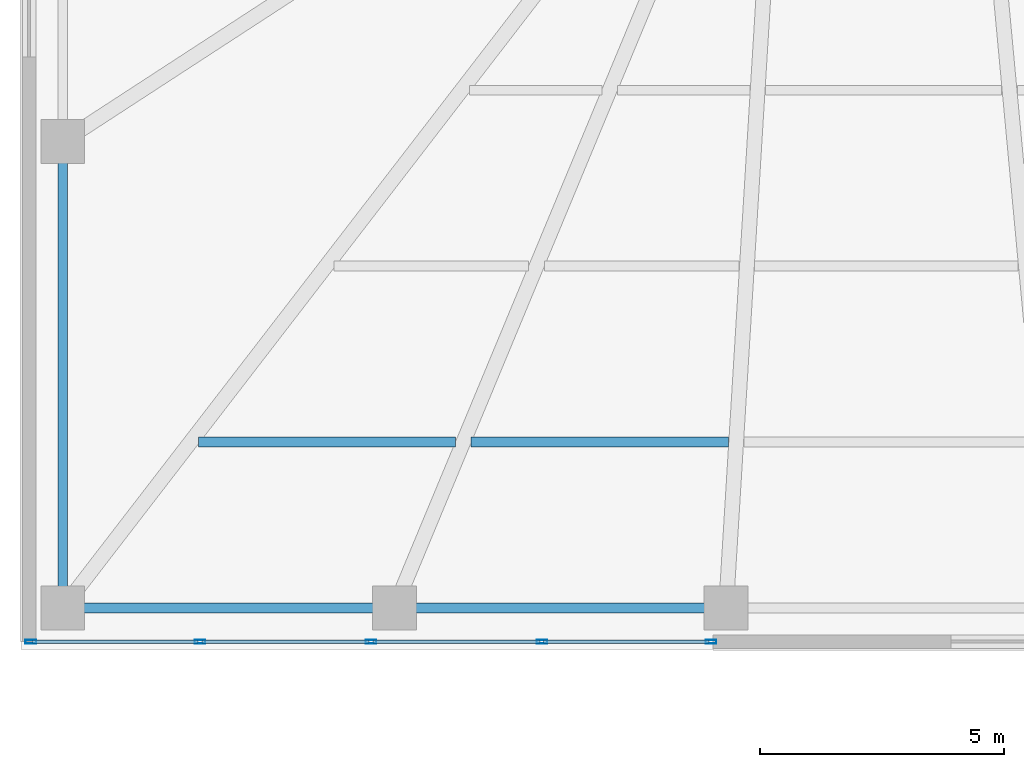
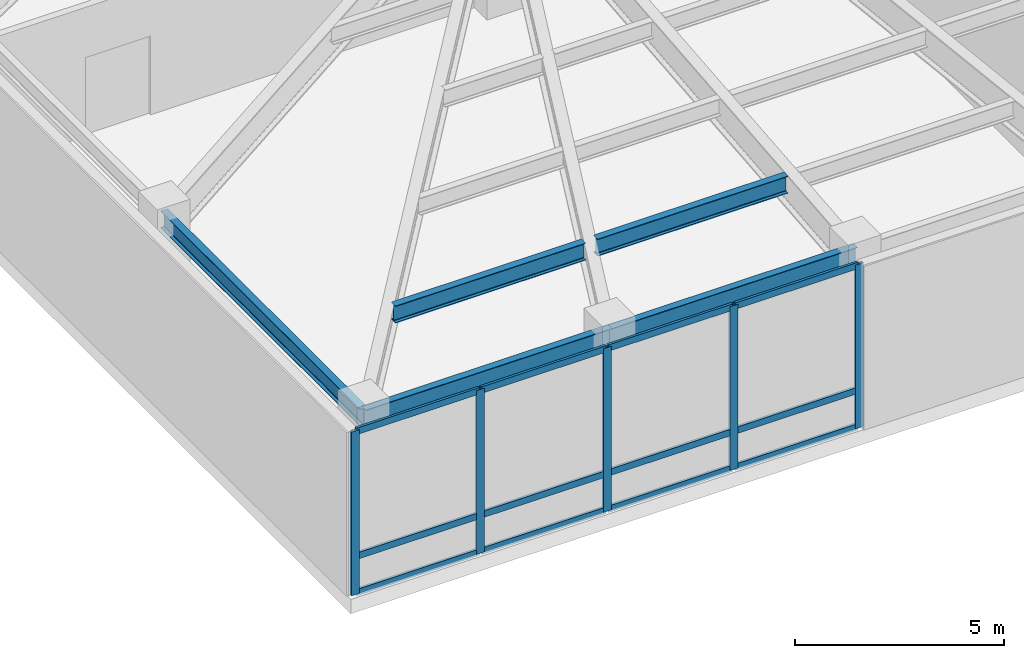
# One storey, part 2 of 15: 17 members, 5 beams, 1 element without a shape of its own.
"""IFC4 building model written with IfcOpenShell, lengths in metres."""

from ifc_helpers import new_model, si_unit, direction, frame, origin, origin_2d, place, context, subcontext, project, spatial, hollow_rectangle, i_section, extrude, material, material_profile, profile_set, type_object, element, aggregate, save


model = new_model("IFC4")

# Units and contexts
model_context = context("Model", 3, precision=1e-05, world=origin(), true_north=direction((0.0, 1.0)))
body_context = subcontext(model_context, "Body", "Model", "MODEL_VIEW")
ifc_project = project(units=[si_unit("LENGTHUNIT", "METRE"), si_unit("AREAUNIT", "SQUARE_METRE"), si_unit("VOLUMEUNIT", "CUBIC_METRE"), si_unit("PLANEANGLEUNIT", "RADIAN"), si_unit("MASSUNIT", "GRAM", prefix="KILO")], contexts=[model_context])

# Site, building, storey
site_placement = place(None, origin())
site = spatial("IfcSite", under=ifc_project, at=site_placement, CompositionType="ELEMENT")
building_placement = place(site_placement, origin())
building = spatial("IfcBuilding", under=site, at=building_placement, Name="Yelkora Congress Tower", CompositionType="ELEMENT")
storey_placement = place(building_placement, frame((0.0, 0.0, 25.199951171875)))
storey = spatial("IfcBuildingStorey", under=building, at=storey_placement, Name="L05", CompositionType="ELEMENT", Elevation=25.199951171875)

# Beams
ifc_material_1 = material(Name="Steel S355J2", Category="steel")
ifc_material_profile_1 = material_profile(ifc_material_1, i_section(OverallWidth=0.199951171875, OverallDepth=0.5, WebThickness=0.01025390625, FlangeThickness=0.01611328125, FilletRadius=0.02099609375, at=origin_2d()), Name="IPE 500")
ifc_profile_set_1 = profile_set([ifc_material_profile_1], Name="Steel S355J2")
beam_type_1 = type_object("IfcBeamType", Name="BM-JOIST-IPE500", PredefinedType="JOIST", material=ifc_profile_set_1)
beam_1_placement = place(storey_placement, frame((7.228759765625, 9.449951171875, 4.530029296875), z_axis=(1.0, 0.0, 0.0), x_axis=(0.0, 1.0, 0.0)))
element("IfcBeam", 1, at=beam_1_placement, inside=storey, type_object=beam_type_1, Name="L05 Composite Floor Joist 1", PredefinedType="JOIST", context=body_context, shape_type="SweptSolid", body=[
    extrude(i_section(OverallWidth=0.199951171875, OverallDepth=0.5, WebThickness=0.01025390625, FlangeThickness=0.01611328125, FilletRadius=0.02099609375, at=origin_2d()), origin(), (0.0, 0.0, 1.0), 5.2646484375),
])
beam_2_placement = place(storey_placement, frame((12.813232421875, 9.449951171875, 4.530029296875), z_axis=(1.0, 0.0, 0.0), x_axis=(0.0, 1.0, 0.0)))
element("IfcBeam", 2, at=beam_2_placement, inside=storey, type_object=beam_type_1, Name="L05 Composite Floor Joist 2", PredefinedType="JOIST", context=body_context, shape_type="SweptSolid", body=[
    extrude(i_section(OverallWidth=0.199951171875, OverallDepth=0.5, WebThickness=0.01025390625, FlangeThickness=0.01611328125, FilletRadius=0.02099609375, at=origin_2d()), origin(), (0.0, 0.0, 1.0), 5.264404296875),
])
ifc_material_profile_2 = material_profile(ifc_material_1, i_section(OverallWidth=0.199951171875, OverallDepth=0.5, WebThickness=0.01025390625, FlangeThickness=0.01611328125, FilletRadius=0.02099609375, at=origin_2d()), Name="IPE 500")
ifc_profile_set_2 = profile_set([ifc_material_profile_2], Name="Steel S355J2")
beam_type_2 = type_object("IfcBeamType", Name="BM-SPAN-IPE500", PredefinedType="SPANDREL", material=ifc_profile_set_2)
beam_3_placement = place(storey_placement, frame((4.449951171875, 15.60009765625, 4.530029296875), z_axis=(0.0, -1.0, 0.0), x_axis=(1.0, 0.0, 0.0)))
element("IfcBeam", 3, at=beam_3_placement, inside=storey, type_object=beam_type_2, Name="L05 Perimeter Beam 1", PredefinedType="SPANDREL", context=body_context, shape_type="SweptSolid", body=[
    extrude(i_section(OverallWidth=0.199951171875, OverallDepth=0.5, WebThickness=0.01025390625, FlangeThickness=0.01611328125, FilletRadius=0.02099609375, at=origin_2d()), origin(), (0.0, 0.0, 1.0), 9.550048828125),
])
for number, where, z_axis, x_axis, name in (
    (4, (4.449951171875, 6.050048828125, 4.530029296875), (1.0, 0.0, 0.0), (0.0, 1.0, 0.0), "L05 Perimeter Beam 2"),
    (5, (11.239990234375, 6.050048828125, 4.530029296875), (1.0, 0.0, 0.0), (0.0, 1.0, 0.0), "L05 Perimeter Beam 3"),
):
    element("IfcBeam", number, at=place(storey_placement, frame(where, z_axis=z_axis, x_axis=x_axis)), inside=storey, type_object=beam_type_2, Name=name, PredefinedType="SPANDREL", context=body_context, shape_type="SweptSolid", body=[
        extrude(i_section(OverallWidth=0.199951171875, OverallDepth=0.5, WebThickness=0.01025390625, FlangeThickness=0.01611328125, FilletRadius=0.02099609375, at=origin_2d()), origin(), (0.0, 0.0, 1.0), 6.7900390625),
    ])

# Curtain wall, members
ifc_material_2 = material(Name="Anodised aluminium and insulated glass", Category="aluminium")
curtain_wall_type = type_object("IfcCurtainWallType", Name="CW-SYS-POD", PredefinedType="NOTDEFINED", material=ifc_material_2)
curtain_wall_placement = place(storey_placement, origin())
curtain_wall = element("IfcCurtainWall", 6, at=curtain_wall_placement, inside=storey, type_object=curtain_wall_type, Name="L05 Podium Curtain Wall West", PredefinedType="NOTDEFINED")
ifc_material_3 = material(Name="Anodised aluminium 6063-T6", Category="aluminium")
ifc_material_profile_3 = material_profile(ifc_material_3, hollow_rectangle(XDim=0.074951171875, YDim=0.219970703125, WallThickness=0.0048828125, at=origin_2d()), Name="ALU 75x220x5")
ifc_profile_set_3 = profile_set([ifc_material_profile_3], Name="Anodised aluminium 6063-T6")
member_type_1 = type_object("IfcMemberType", Name="MEM-ML-POD", PredefinedType="MULLION", material=ifc_profile_set_3)
member_1_placement = place(storey_placement, frame((3.797607421875, 5.360107421875, 0.0), z_axis=(0.0, 0.0, 1.0), x_axis=(0.0, 1.0, 0.0)))
member_1 = element("IfcMember", 7, at=member_1_placement, type_object=member_type_1, Name="CW-POD mullion 1", PredefinedType="MULLION", context=body_context, shape_type="SweptSolid", body=[
    extrude(hollow_rectangle(XDim=0.074951171875, YDim=0.219970703125, WallThickness=0.0048828125, at=origin_2d()), origin(), (0.0, 0.0, 1.0), 4.780029296875),
])
member_2_placement = place(storey_placement, frame((7.260009765625, 5.360107421875, 0.0), z_axis=(0.0, 0.0, 1.0), x_axis=(0.0, 1.0, 0.0)))
member_2 = element("IfcMember", 8, at=member_2_placement, type_object=member_type_1, Name="CW-POD mullion 2", PredefinedType="MULLION", context=body_context, shape_type="SweptSolid", body=[
    extrude(hollow_rectangle(XDim=0.074951171875, YDim=0.219970703125, WallThickness=0.0048828125, at=origin_2d()), origin(), (0.0, 0.0, 1.0), 4.780029296875),
])
member_3_placement = place(storey_placement, frame((10.760009765625, 5.360107421875, 0.0), z_axis=(0.0, 0.0, 1.0), x_axis=(0.0, 1.0, 0.0)))
member_3 = element("IfcMember", 9, at=member_3_placement, type_object=member_type_1, Name="CW-POD mullion 3", PredefinedType="MULLION", context=body_context, shape_type="SweptSolid", body=[
    extrude(hollow_rectangle(XDim=0.074951171875, YDim=0.219970703125, WallThickness=0.0048828125, at=origin_2d()), origin(), (0.0, 0.0, 1.0), 4.780029296875),
])
member_4_placement = place(storey_placement, frame((14.260009765625, 5.360107421875, 0.0), z_axis=(0.0, 0.0, 1.0), x_axis=(0.0, 1.0, 0.0)))
member_4 = element("IfcMember", 10, at=member_4_placement, type_object=member_type_1, Name="CW-POD mullion 4", PredefinedType="MULLION", context=body_context, shape_type="SweptSolid", body=[
    extrude(hollow_rectangle(XDim=0.074951171875, YDim=0.219970703125, WallThickness=0.0048828125, at=origin_2d()), origin(), (0.0, 0.0, 1.0), 4.780029296875),
])
member_5_placement = place(storey_placement, frame((17.722412109375, 5.360107421875, 0.0), z_axis=(0.0, 0.0, 1.0), x_axis=(0.0, 1.0, 0.0)))
member_5 = element("IfcMember", 11, at=member_5_placement, type_object=member_type_1, Name="CW-POD mullion 5", PredefinedType="MULLION", context=body_context, shape_type="SweptSolid", body=[
    extrude(hollow_rectangle(XDim=0.074951171875, YDim=0.219970703125, WallThickness=0.0048828125, at=origin_2d()), origin(), (0.0, 0.0, 1.0), 4.780029296875),
])
ifc_material_profile_4 = material_profile(ifc_material_3, hollow_rectangle(XDim=0.070068359375, YDim=0.18994140625, WallThickness=0.00390625, at=origin_2d()), Name="ALU 70x190x4")
ifc_profile_set_4 = profile_set([ifc_material_profile_4], Name="Anodised aluminium 6063-T6")
member_type_2 = type_object("IfcMemberType", Name="MEM-TR-POD", PredefinedType="USERDEFINED", material=ifc_profile_set_4)
member_6_placement = place(storey_placement, frame((3.8349609375, 5.360107421875, 0.03515625), z_axis=(1.0, 0.0, 0.0), x_axis=(0.0, 1.0, 0.0)))
member_6 = element("IfcMember", 12, at=member_6_placement, type_object=member_type_2, Name="CW-POD transom 1.1", ObjectType="TRANSOM", PredefinedType="USERDEFINED", context=body_context, shape_type="SweptSolid", body=[
    extrude(hollow_rectangle(XDim=0.070068359375, YDim=0.18994140625, WallThickness=0.00390625, at=origin_2d()), origin(), (0.0, 0.0, 1.0), 3.387451171875),
])
member_7_placement = place(storey_placement, frame((3.8349609375, 5.360107421875, 1.10009765625), z_axis=(1.0, 0.0, 0.0), x_axis=(0.0, 1.0, 0.0)))
member_7 = element("IfcMember", 13, at=member_7_placement, type_object=member_type_2, Name="CW-POD transom 1.2", ObjectType="TRANSOM", PredefinedType="USERDEFINED", context=body_context, shape_type="SweptSolid", body=[
    extrude(hollow_rectangle(XDim=0.070068359375, YDim=0.18994140625, WallThickness=0.00390625, at=origin_2d()), origin(), (0.0, 0.0, 1.0), 3.387451171875),
])
member_8_placement = place(storey_placement, frame((3.8349609375, 5.360107421875, 4.7451171875), z_axis=(1.0, 0.0, 0.0), x_axis=(0.0, 1.0, 0.0)))
member_8 = element("IfcMember", 14, at=member_8_placement, type_object=member_type_2, Name="CW-POD transom 1.3", ObjectType="TRANSOM", PredefinedType="USERDEFINED", context=body_context, shape_type="SweptSolid", body=[
    extrude(hollow_rectangle(XDim=0.070068359375, YDim=0.18994140625, WallThickness=0.00390625, at=origin_2d()), origin(), (0.0, 0.0, 1.0), 3.387451171875),
])
member_9_placement = place(storey_placement, frame((7.297607421875, 5.360107421875, 0.03515625), z_axis=(1.0, 0.0, 0.0), x_axis=(0.0, 1.0, 0.0)))
member_9 = element("IfcMember", 15, at=member_9_placement, type_object=member_type_2, Name="CW-POD transom 2.1", ObjectType="TRANSOM", PredefinedType="USERDEFINED", context=body_context, shape_type="SweptSolid", body=[
    extrude(hollow_rectangle(XDim=0.070068359375, YDim=0.18994140625, WallThickness=0.00390625, at=origin_2d()), origin(), (0.0, 0.0, 1.0), 3.4248046875),
])
member_10_placement = place(storey_placement, frame((7.297607421875, 5.360107421875, 1.10009765625), z_axis=(1.0, 0.0, 0.0), x_axis=(0.0, 1.0, 0.0)))
member_10 = element("IfcMember", 16, at=member_10_placement, type_object=member_type_2, Name="CW-POD transom 2.2", ObjectType="TRANSOM", PredefinedType="USERDEFINED", context=body_context, shape_type="SweptSolid", body=[
    extrude(hollow_rectangle(XDim=0.070068359375, YDim=0.18994140625, WallThickness=0.00390625, at=origin_2d()), origin(), (0.0, 0.0, 1.0), 3.4248046875),
])
member_11_placement = place(storey_placement, frame((7.297607421875, 5.360107421875, 4.7451171875), z_axis=(1.0, 0.0, 0.0), x_axis=(0.0, 1.0, 0.0)))
member_11 = element("IfcMember", 17, at=member_11_placement, type_object=member_type_2, Name="CW-POD transom 2.3", ObjectType="TRANSOM", PredefinedType="USERDEFINED", context=body_context, shape_type="SweptSolid", body=[
    extrude(hollow_rectangle(XDim=0.070068359375, YDim=0.18994140625, WallThickness=0.00390625, at=origin_2d()), origin(), (0.0, 0.0, 1.0), 3.4248046875),
])
member_12_placement = place(storey_placement, frame((10.797607421875, 5.360107421875, 0.03515625), z_axis=(1.0, 0.0, 0.0), x_axis=(0.0, 1.0, 0.0)))
member_12 = element("IfcMember", 18, at=member_12_placement, type_object=member_type_2, Name="CW-POD transom 3.1", ObjectType="TRANSOM", PredefinedType="USERDEFINED", context=body_context, shape_type="SweptSolid", body=[
    extrude(hollow_rectangle(XDim=0.070068359375, YDim=0.18994140625, WallThickness=0.00390625, at=origin_2d()), origin(), (0.0, 0.0, 1.0), 3.4248046875),
])
member_13_placement = place(storey_placement, frame((10.797607421875, 5.360107421875, 1.10009765625), z_axis=(1.0, 0.0, 0.0), x_axis=(0.0, 1.0, 0.0)))
member_13 = element("IfcMember", 19, at=member_13_placement, type_object=member_type_2, Name="CW-POD transom 3.2", ObjectType="TRANSOM", PredefinedType="USERDEFINED", context=body_context, shape_type="SweptSolid", body=[
    extrude(hollow_rectangle(XDim=0.070068359375, YDim=0.18994140625, WallThickness=0.00390625, at=origin_2d()), origin(), (0.0, 0.0, 1.0), 3.4248046875),
])
member_14_placement = place(storey_placement, frame((10.797607421875, 5.360107421875, 4.7451171875), z_axis=(1.0, 0.0, 0.0), x_axis=(0.0, 1.0, 0.0)))
member_14 = element("IfcMember", 20, at=member_14_placement, type_object=member_type_2, Name="CW-POD transom 3.3", ObjectType="TRANSOM", PredefinedType="USERDEFINED", context=body_context, shape_type="SweptSolid", body=[
    extrude(hollow_rectangle(XDim=0.070068359375, YDim=0.18994140625, WallThickness=0.00390625, at=origin_2d()), origin(), (0.0, 0.0, 1.0), 3.4248046875),
])
member_15_placement = place(storey_placement, frame((14.297607421875, 5.360107421875, 0.03515625), z_axis=(1.0, 0.0, 0.0), x_axis=(0.0, 1.0, 0.0)))
member_15 = element("IfcMember", 21, at=member_15_placement, type_object=member_type_2, Name="CW-POD transom 4.1", ObjectType="TRANSOM", PredefinedType="USERDEFINED", context=body_context, shape_type="SweptSolid", body=[
    extrude(hollow_rectangle(XDim=0.070068359375, YDim=0.18994140625, WallThickness=0.00390625, at=origin_2d()), origin(), (0.0, 0.0, 1.0), 3.387451171875),
])
member_16_placement = place(storey_placement, frame((14.297607421875, 5.360107421875, 1.10009765625), z_axis=(1.0, 0.0, 0.0), x_axis=(0.0, 1.0, 0.0)))
member_16 = element("IfcMember", 22, at=member_16_placement, type_object=member_type_2, Name="CW-POD transom 4.2", ObjectType="TRANSOM", PredefinedType="USERDEFINED", context=body_context, shape_type="SweptSolid", body=[
    extrude(hollow_rectangle(XDim=0.070068359375, YDim=0.18994140625, WallThickness=0.00390625, at=origin_2d()), origin(), (0.0, 0.0, 1.0), 3.387451171875),
])
member_17_placement = place(storey_placement, frame((14.297607421875, 5.360107421875, 4.7451171875), z_axis=(1.0, 0.0, 0.0), x_axis=(0.0, 1.0, 0.0)))
member_17 = element("IfcMember", 23, at=member_17_placement, type_object=member_type_2, Name="CW-POD transom 4.3", ObjectType="TRANSOM", PredefinedType="USERDEFINED", context=body_context, shape_type="SweptSolid", body=[
    extrude(hollow_rectangle(XDim=0.070068359375, YDim=0.18994140625, WallThickness=0.00390625, at=origin_2d()), origin(), (0.0, 0.0, 1.0), 3.387451171875),
])
aggregate(curtain_wall, [member_1, member_2, member_3, member_4, member_5, member_6, member_7, member_8, member_9, member_10, member_11, member_12, member_13, member_14, member_15, member_16, member_17])

save(model, "model.ifc")
